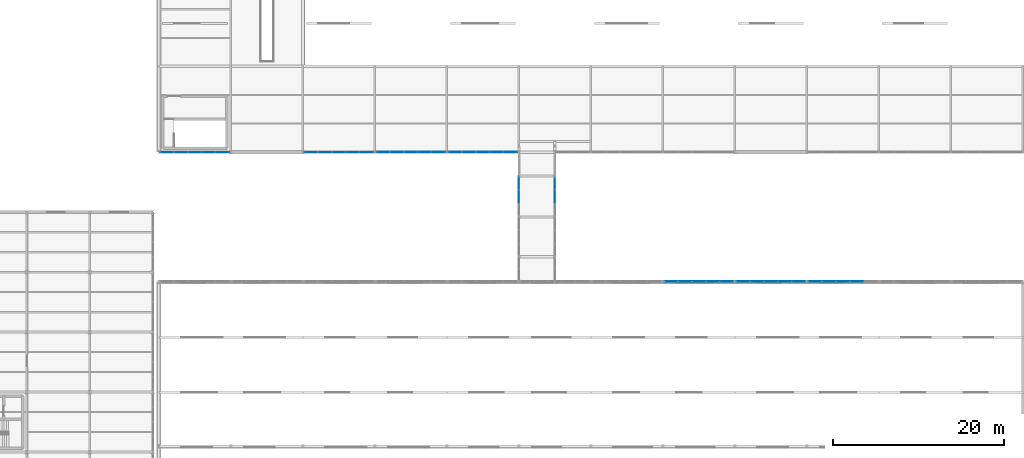
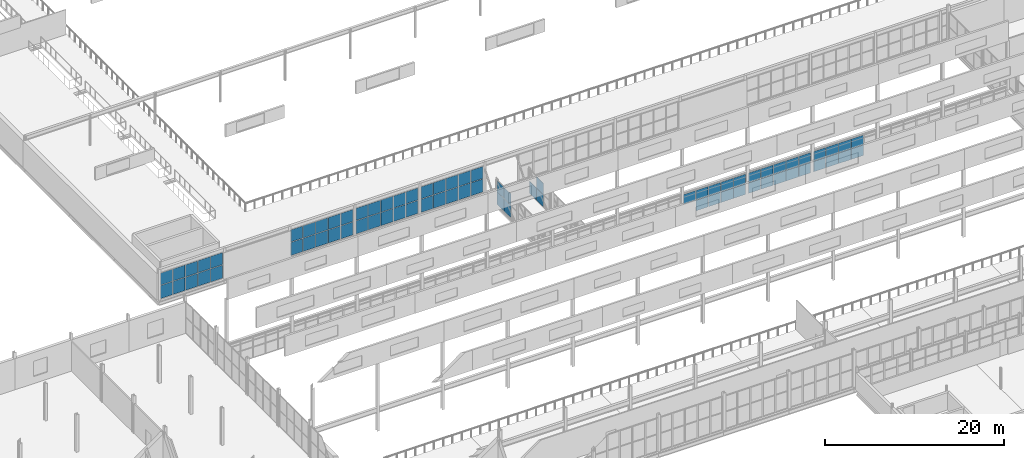
# One storey, part 183 of 218: 74 plates, 9 elements without a shape of their own.
"""IFC4 building model written with IfcOpenShell, lengths in metres."""

from ifc_helpers import new_model, si_unit, direction, frame, origin, origin_2d, place, context, subcontext, project, spatial, rectangle, extrude, material, layer, layer_set, type_object, element, aggregate, save


model = new_model("IFC4")

# Units and contexts
model_context = context("Model", 3, precision=1e-05, world=origin(), true_north=direction((0.0, 1.0)))
body_context = subcontext(model_context, "Body", "Model", "MODEL_VIEW")
ifc_project = project(units=[si_unit("LENGTHUNIT", "METRE"), si_unit("AREAUNIT", "SQUARE_METRE"), si_unit("VOLUMEUNIT", "CUBIC_METRE"), si_unit("PLANEANGLEUNIT", "RADIAN"), si_unit("MASSUNIT", "GRAM", prefix="KILO")], contexts=[model_context])

# Site, building, storey
site_placement = place(None, origin())
site = spatial("IfcSite", under=ifc_project, at=site_placement, CompositionType="ELEMENT")
building_placement = place(site_placement, origin())
building = spatial("IfcBuilding", under=site, at=building_placement, Name="Kazenagashi Tramway Depot", CompositionType="ELEMENT")
storey_placement = place(building_placement, frame((0.0, 0.0, 6.0)))
storey = spatial("IfcBuildingStorey", under=building, at=storey_placement, Name="L02", CompositionType="ELEMENT", Elevation=6.0)

# Curtain wall, plates
ifc_material_1 = material(Name="Anodised Aluminium and Low-E Glazing", Category="aluminium")
curtain_wall_type_1 = type_object("IfcCurtainWallType", Name="CW-21", PredefinedType="USERDEFINED", material=ifc_material_1)
curtain_wall_1_placement = place(storey_placement, origin())
curtain_wall_1 = element("IfcCurtainWall", 1, at=curtain_wall_1_placement, inside=storey, type_object=curtain_wall_type_1, Name="Industrial Glazed Screen CW-21 CW-0114", ObjectType="GLAZED SCREEN", PredefinedType="USERDEFINED")
ifc_material_2 = material(Name="Tempered Laminated Low-E Glass", Category="glass")
ifc_layer_1 = layer(ifc_material_2, 0.018)
ifc_layer_set_1 = layer_set([ifc_layer_1], Name="Tempered Laminated Low-E Glass")
plate_type_1 = type_object("IfcPlateType", Name="GL-02", PredefinedType="CURTAIN_PANEL", material=ifc_layer_set_1)
plate_1_placement = place(storey_placement, frame((104.567, 54.9, 1.538), z_axis=(0.0, 0.0, 1.0), x_axis=(1.0, 0.0, 0.0)))
plate_1 = element("IfcPlate", 2, at=plate_1_placement, type_object=plate_type_1, Name="CW-21 panel 1.2", PredefinedType="CURTAIN_PANEL", context=body_context, shape_type="SweptSolid", body=[
    extrude(rectangle(XDim=1.534, YDim=0.018, at=origin_2d()), origin(), (0.0, 0.0, 1.0), 1.302),
])
plate_2_placement = place(storey_placement, frame((106.176, 54.9, 0.06), z_axis=(0.0, 0.0, 1.0), x_axis=(1.0, 0.0, 0.0)))
plate_2 = element("IfcPlate", 3, at=plate_2_placement, type_object=plate_type_1, Name="CW-21 panel 2.1", PredefinedType="CURTAIN_PANEL", context=body_context, shape_type="SweptSolid", body=[
    extrude(rectangle(XDim=1.564, YDim=0.018, at=origin_2d()), origin(), (0.0, 0.0, 1.0), 1.418),
])
plate_3_placement = place(storey_placement, frame((106.176, 54.9, 1.538), z_axis=(0.0, 0.0, 1.0), x_axis=(1.0, 0.0, 0.0)))
plate_3 = element("IfcPlate", 4, at=plate_3_placement, type_object=plate_type_1, Name="CW-21 panel 2.2", PredefinedType="CURTAIN_PANEL", context=body_context, shape_type="SweptSolid", body=[
    extrude(rectangle(XDim=1.564, YDim=0.018, at=origin_2d()), origin(), (0.0, 0.0, 1.0), 1.302),
])
plate_4_placement = place(storey_placement, frame((107.8, 54.9, 0.06), z_axis=(0.0, 0.0, 1.0), x_axis=(1.0, 0.0, 0.0)))
plate_4 = element("IfcPlate", 5, at=plate_4_placement, type_object=plate_type_1, Name="CW-21 panel 3.1", PredefinedType="CURTAIN_PANEL", context=body_context, shape_type="SweptSolid", body=[
    extrude(rectangle(XDim=1.564, YDim=0.018, at=origin_2d()), origin(), (0.0, 0.0, 1.0), 1.418),
])
plate_5_placement = place(storey_placement, frame((107.8, 54.9, 1.538), z_axis=(0.0, 0.0, 1.0), x_axis=(1.0, 0.0, 0.0)))
plate_5 = element("IfcPlate", 6, at=plate_5_placement, type_object=plate_type_1, Name="CW-21 panel 3.2", PredefinedType="CURTAIN_PANEL", context=body_context, shape_type="SweptSolid", body=[
    extrude(rectangle(XDim=1.564, YDim=0.018, at=origin_2d()), origin(), (0.0, 0.0, 1.0), 1.302),
])
plate_6_placement = place(storey_placement, frame((109.424, 54.9, 0.06), z_axis=(0.0, 0.0, 1.0), x_axis=(1.0, 0.0, 0.0)))
plate_6 = element("IfcPlate", 7, at=plate_6_placement, type_object=plate_type_1, Name="CW-21 panel 4.1", PredefinedType="CURTAIN_PANEL", context=body_context, shape_type="SweptSolid", body=[
    extrude(rectangle(XDim=1.564, YDim=0.018, at=origin_2d()), origin(), (0.0, 0.0, 1.0), 1.418),
])
plate_7_placement = place(storey_placement, frame((109.424, 54.9, 1.538), z_axis=(0.0, 0.0, 1.0), x_axis=(1.0, 0.0, 0.0)))
plate_7 = element("IfcPlate", 8, at=plate_7_placement, type_object=plate_type_1, Name="CW-21 panel 4.2", PredefinedType="CURTAIN_PANEL", context=body_context, shape_type="SweptSolid", body=[
    extrude(rectangle(XDim=1.564, YDim=0.018, at=origin_2d()), origin(), (0.0, 0.0, 1.0), 1.302),
])
plate_8_placement = place(storey_placement, frame((111.033, 54.9, 0.06), z_axis=(0.0, 0.0, 1.0), x_axis=(1.0, 0.0, 0.0)))
plate_8 = element("IfcPlate", 9, at=plate_8_placement, type_object=plate_type_1, Name="CW-21 panel 5.1", PredefinedType="CURTAIN_PANEL", context=body_context, shape_type="SweptSolid", body=[
    extrude(rectangle(XDim=1.534, YDim=0.018, at=origin_2d()), origin(), (0.0, 0.0, 1.0), 1.418),
])
plate_9_placement = place(storey_placement, frame((111.033, 54.9, 1.538), z_axis=(0.0, 0.0, 1.0), x_axis=(1.0, 0.0, 0.0)))
plate_9 = element("IfcPlate", 10, at=plate_9_placement, type_object=plate_type_1, Name="CW-21 panel 5.2", PredefinedType="CURTAIN_PANEL", context=body_context, shape_type="SweptSolid", body=[
    extrude(rectangle(XDim=1.534, YDim=0.018, at=origin_2d()), origin(), (0.0, 0.0, 1.0), 1.302),
])
aggregate(curtain_wall_1, [plate_1, plate_2, plate_3, plate_4, plate_5, plate_6, plate_7, plate_8, plate_9])

curtain_wall_type_2 = type_object("IfcCurtainWallType", Name="CW-11", PredefinedType="USERDEFINED", material=ifc_material_1)
curtain_wall_2_placement = place(storey_placement, origin())
curtain_wall_2 = element("IfcCurtainWall", 11, at=curtain_wall_2_placement, inside=storey, type_object=curtain_wall_type_2, Name="Industrial Glazed Screen CW-11 CW-0019", ObjectType="GLAZED SCREEN", PredefinedType="USERDEFINED")
ifc_layer_2 = layer(ifc_material_2, 0.02)
ifc_layer_set_2 = layer_set([ifc_layer_2], Name="Tempered Laminated Low-E Glass")
plate_type_2 = type_object("IfcPlateType", Name="GL-03", PredefinedType="CURTAIN_PANEL", material=ifc_layer_set_2)
plate_10_placement = place(storey_placement, frame((45.767, 70.0, 0.06), z_axis=(0.0, 0.0, 1.0), x_axis=(1.0, 0.0, 0.0)))
plate_10 = element("IfcPlate", 12, at=plate_10_placement, type_object=plate_type_2, Name="CW-11 panel 1.1", PredefinedType="CURTAIN_PANEL", context=body_context, shape_type="SweptSolid", body=[
    extrude(rectangle(XDim=1.534, YDim=0.02, at=origin_2d()), origin(), (0.0, 0.0, 1.0), 1.788),
])
plate_11_placement = place(storey_placement, frame((45.767, 70.0, 1.908), z_axis=(0.0, 0.0, 1.0), x_axis=(1.0, 0.0, 0.0)))
plate_11 = element("IfcPlate", 13, at=plate_11_placement, type_object=plate_type_2, Name="CW-11 panel 1.2", PredefinedType="CURTAIN_PANEL", context=body_context, shape_type="SweptSolid", body=[
    extrude(rectangle(XDim=1.534, YDim=0.02, at=origin_2d()), origin(), (0.0, 0.0, 1.0), 1.644),
])
plate_12_placement = place(storey_placement, frame((47.376, 70.0, 0.06), z_axis=(0.0, 0.0, 1.0), x_axis=(1.0, 0.0, 0.0)))
plate_12 = element("IfcPlate", 14, at=plate_12_placement, type_object=plate_type_2, Name="CW-11 panel 2.1", PredefinedType="CURTAIN_PANEL", context=body_context, shape_type="SweptSolid", body=[
    extrude(rectangle(XDim=1.564, YDim=0.02, at=origin_2d()), origin(), (0.0, 0.0, 1.0), 1.788),
])
plate_13_placement = place(storey_placement, frame((47.376, 70.0, 1.908), z_axis=(0.0, 0.0, 1.0), x_axis=(1.0, 0.0, 0.0)))
plate_13 = element("IfcPlate", 15, at=plate_13_placement, type_object=plate_type_2, Name="CW-11 panel 2.2", PredefinedType="CURTAIN_PANEL", context=body_context, shape_type="SweptSolid", body=[
    extrude(rectangle(XDim=1.564, YDim=0.02, at=origin_2d()), origin(), (0.0, 0.0, 1.0), 1.644),
])
plate_14_placement = place(storey_placement, frame((49.0, 70.0, 0.06), z_axis=(0.0, 0.0, 1.0), x_axis=(1.0, 0.0, 0.0)))
plate_14 = element("IfcPlate", 16, at=plate_14_placement, type_object=plate_type_2, Name="CW-11 panel 3.1", PredefinedType="CURTAIN_PANEL", context=body_context, shape_type="SweptSolid", body=[
    extrude(rectangle(XDim=1.564, YDim=0.02, at=origin_2d()), origin(), (0.0, 0.0, 1.0), 1.788),
])
plate_15_placement = place(storey_placement, frame((49.0, 70.0, 1.908), z_axis=(0.0, 0.0, 1.0), x_axis=(1.0, 0.0, 0.0)))
plate_15 = element("IfcPlate", 17, at=plate_15_placement, type_object=plate_type_2, Name="CW-11 panel 3.2", PredefinedType="CURTAIN_PANEL", context=body_context, shape_type="SweptSolid", body=[
    extrude(rectangle(XDim=1.564, YDim=0.02, at=origin_2d()), origin(), (0.0, 0.0, 1.0), 1.644),
])
plate_16_placement = place(storey_placement, frame((50.624, 70.0, 0.06), z_axis=(0.0, 0.0, 1.0), x_axis=(1.0, 0.0, 0.0)))
plate_16 = element("IfcPlate", 18, at=plate_16_placement, type_object=plate_type_2, Name="CW-11 panel 4.1", PredefinedType="CURTAIN_PANEL", context=body_context, shape_type="SweptSolid", body=[
    extrude(rectangle(XDim=1.564, YDim=0.02, at=origin_2d()), origin(), (0.0, 0.0, 1.0), 1.788),
])
plate_17_placement = place(storey_placement, frame((50.624, 70.0, 1.908), z_axis=(0.0, 0.0, 1.0), x_axis=(1.0, 0.0, 0.0)))
plate_17 = element("IfcPlate", 19, at=plate_17_placement, type_object=plate_type_2, Name="CW-11 panel 4.2", PredefinedType="CURTAIN_PANEL", context=body_context, shape_type="SweptSolid", body=[
    extrude(rectangle(XDim=1.564, YDim=0.02, at=origin_2d()), origin(), (0.0, 0.0, 1.0), 1.644),
])
plate_18_placement = place(storey_placement, frame((52.233, 70.0, 0.06), z_axis=(0.0, 0.0, 1.0), x_axis=(1.0, 0.0, 0.0)))
plate_18 = element("IfcPlate", 20, at=plate_18_placement, type_object=plate_type_2, Name="CW-11 panel 5.1", PredefinedType="CURTAIN_PANEL", context=body_context, shape_type="SweptSolid", body=[
    extrude(rectangle(XDim=1.534, YDim=0.02, at=origin_2d()), origin(), (0.0, 0.0, 1.0), 1.788),
])
plate_19_placement = place(storey_placement, frame((52.233, 70.0, 1.908), z_axis=(0.0, 0.0, 1.0), x_axis=(1.0, 0.0, 0.0)))
plate_19 = element("IfcPlate", 21, at=plate_19_placement, type_object=plate_type_2, Name="CW-11 panel 5.2", PredefinedType="CURTAIN_PANEL", context=body_context, shape_type="SweptSolid", body=[
    extrude(rectangle(XDim=1.534, YDim=0.02, at=origin_2d()), origin(), (0.0, 0.0, 1.0), 1.644),
])
aggregate(curtain_wall_2, [plate_10, plate_11, plate_12, plate_13, plate_14, plate_15, plate_16, plate_17, plate_18, plate_19])

curtain_wall_3_placement = place(storey_placement, origin())
curtain_wall_3 = element("IfcCurtainWall", 22, at=curtain_wall_3_placement, inside=storey, type_object=curtain_wall_type_1, Name="Industrial Glazed Screen CW-21 CW-0115", ObjectType="GLAZED SCREEN", PredefinedType="USERDEFINED")
plate_20_placement = place(storey_placement, frame((112.967, 54.9, 0.06), z_axis=(0.0, 0.0, 1.0), x_axis=(1.0, 0.0, 0.0)))
plate_20 = element("IfcPlate", 23, at=plate_20_placement, type_object=plate_type_2, Name="CW-21 panel 1.1", PredefinedType="CURTAIN_PANEL", context=body_context, shape_type="SweptSolid", body=[
    extrude(rectangle(XDim=1.534, YDim=0.02, at=origin_2d()), origin(), (0.0, 0.0, 1.0), 1.418),
])
plate_21_placement = place(storey_placement, frame((112.967, 54.9, 1.538), z_axis=(0.0, 0.0, 1.0), x_axis=(1.0, 0.0, 0.0)))
plate_21 = element("IfcPlate", 24, at=plate_21_placement, type_object=plate_type_2, Name="CW-21 panel 1.2", PredefinedType="CURTAIN_PANEL", context=body_context, shape_type="SweptSolid", body=[
    extrude(rectangle(XDim=1.534, YDim=0.02, at=origin_2d()), origin(), (0.0, 0.0, 1.0), 1.302),
])
plate_22_placement = place(storey_placement, frame((114.576, 54.9, 0.06), z_axis=(0.0, 0.0, 1.0), x_axis=(1.0, 0.0, 0.0)))
plate_22 = element("IfcPlate", 25, at=plate_22_placement, type_object=plate_type_2, Name="CW-21 panel 2.1", PredefinedType="CURTAIN_PANEL", context=body_context, shape_type="SweptSolid", body=[
    extrude(rectangle(XDim=1.564, YDim=0.02, at=origin_2d()), origin(), (0.0, 0.0, 1.0), 1.418),
])
plate_23_placement = place(storey_placement, frame((114.576, 54.9, 1.538), z_axis=(0.0, 0.0, 1.0), x_axis=(1.0, 0.0, 0.0)))
plate_23 = element("IfcPlate", 26, at=plate_23_placement, type_object=plate_type_2, Name="CW-21 panel 2.2", PredefinedType="CURTAIN_PANEL", context=body_context, shape_type="SweptSolid", body=[
    extrude(rectangle(XDim=1.564, YDim=0.02, at=origin_2d()), origin(), (0.0, 0.0, 1.0), 1.302),
])
plate_24_placement = place(storey_placement, frame((116.2, 54.9, 0.06), z_axis=(0.0, 0.0, 1.0), x_axis=(1.0, 0.0, 0.0)))
plate_24 = element("IfcPlate", 27, at=plate_24_placement, type_object=plate_type_2, Name="CW-21 panel 3.1", PredefinedType="CURTAIN_PANEL", context=body_context, shape_type="SweptSolid", body=[
    extrude(rectangle(XDim=1.564, YDim=0.02, at=origin_2d()), origin(), (0.0, 0.0, 1.0), 1.418),
])
plate_25_placement = place(storey_placement, frame((116.2, 54.9, 1.538), z_axis=(0.0, 0.0, 1.0), x_axis=(1.0, 0.0, 0.0)))
plate_25 = element("IfcPlate", 28, at=plate_25_placement, type_object=plate_type_2, Name="CW-21 panel 3.2", PredefinedType="CURTAIN_PANEL", context=body_context, shape_type="SweptSolid", body=[
    extrude(rectangle(XDim=1.564, YDim=0.02, at=origin_2d()), origin(), (0.0, 0.0, 1.0), 1.302),
])
plate_26_placement = place(storey_placement, frame((117.824, 54.9, 0.06), z_axis=(0.0, 0.0, 1.0), x_axis=(1.0, 0.0, 0.0)))
plate_26 = element("IfcPlate", 29, at=plate_26_placement, type_object=plate_type_2, Name="CW-21 panel 4.1", PredefinedType="CURTAIN_PANEL", context=body_context, shape_type="SweptSolid", body=[
    extrude(rectangle(XDim=1.564, YDim=0.02, at=origin_2d()), origin(), (0.0, 0.0, 1.0), 1.418),
])
plate_27_placement = place(storey_placement, frame((117.824, 54.9, 1.538), z_axis=(0.0, 0.0, 1.0), x_axis=(1.0, 0.0, 0.0)))
plate_27 = element("IfcPlate", 30, at=plate_27_placement, type_object=plate_type_2, Name="CW-21 panel 4.2", PredefinedType="CURTAIN_PANEL", context=body_context, shape_type="SweptSolid", body=[
    extrude(rectangle(XDim=1.564, YDim=0.02, at=origin_2d()), origin(), (0.0, 0.0, 1.0), 1.302),
])
plate_28_placement = place(storey_placement, frame((119.433, 54.9, 0.06), z_axis=(0.0, 0.0, 1.0), x_axis=(1.0, 0.0, 0.0)))
plate_28 = element("IfcPlate", 31, at=plate_28_placement, type_object=plate_type_2, Name="CW-21 panel 5.1", PredefinedType="CURTAIN_PANEL", context=body_context, shape_type="SweptSolid", body=[
    extrude(rectangle(XDim=1.534, YDim=0.02, at=origin_2d()), origin(), (0.0, 0.0, 1.0), 1.418),
])
plate_29_placement = place(storey_placement, frame((119.433, 54.9, 1.538), z_axis=(0.0, 0.0, 1.0), x_axis=(1.0, 0.0, 0.0)))
plate_29 = element("IfcPlate", 32, at=plate_29_placement, type_object=plate_type_2, Name="CW-21 panel 5.2", PredefinedType="CURTAIN_PANEL", context=body_context, shape_type="SweptSolid", body=[
    extrude(rectangle(XDim=1.534, YDim=0.02, at=origin_2d()), origin(), (0.0, 0.0, 1.0), 1.302),
])
aggregate(curtain_wall_3, [plate_20, plate_21, plate_22, plate_23, plate_24, plate_25, plate_26, plate_27, plate_28, plate_29])

curtain_wall_4_placement = place(storey_placement, origin())
curtain_wall_4 = element("IfcCurtainWall", 33, at=curtain_wall_4_placement, inside=storey, type_object=curtain_wall_type_2, Name="Industrial Glazed Screen CW-11 CW-0020", ObjectType="GLAZED SCREEN", PredefinedType="USERDEFINED")
ifc_layer_3 = layer(ifc_material_2, 0.022)
ifc_layer_set_3 = layer_set([ifc_layer_3], Name="Tempered Laminated Low-E Glass")
plate_type_3 = type_object("IfcPlateType", Name="GL-04", PredefinedType="CURTAIN_PANEL", material=ifc_layer_set_3)
plate_30_placement = place(storey_placement, frame((62.567, 70.0, 0.06), z_axis=(0.0, 0.0, 1.0), x_axis=(1.0, 0.0, 0.0)))
plate_30 = element("IfcPlate", 34, at=plate_30_placement, type_object=plate_type_3, Name="CW-11 panel 1.1", PredefinedType="CURTAIN_PANEL", context=body_context, shape_type="SweptSolid", body=[
    extrude(rectangle(XDim=1.534, YDim=0.022, at=origin_2d()), origin(), (0.0, 0.0, 1.0), 1.788),
])
plate_31_placement = place(storey_placement, frame((62.567, 70.0, 1.908), z_axis=(0.0, 0.0, 1.0), x_axis=(1.0, 0.0, 0.0)))
plate_31 = element("IfcPlate", 35, at=plate_31_placement, type_object=plate_type_3, Name="CW-11 panel 1.2", PredefinedType="CURTAIN_PANEL", context=body_context, shape_type="SweptSolid", body=[
    extrude(rectangle(XDim=1.534, YDim=0.022, at=origin_2d()), origin(), (0.0, 0.0, 1.0), 1.644),
])
plate_32_placement = place(storey_placement, frame((64.176, 70.0, 0.06), z_axis=(0.0, 0.0, 1.0), x_axis=(1.0, 0.0, 0.0)))
plate_32 = element("IfcPlate", 36, at=plate_32_placement, type_object=plate_type_3, Name="CW-11 panel 2.1", PredefinedType="CURTAIN_PANEL", context=body_context, shape_type="SweptSolid", body=[
    extrude(rectangle(XDim=1.564, YDim=0.022, at=origin_2d()), origin(), (0.0, 0.0, 1.0), 1.788),
])
plate_33_placement = place(storey_placement, frame((64.176, 70.0, 1.908), z_axis=(0.0, 0.0, 1.0), x_axis=(1.0, 0.0, 0.0)))
plate_33 = element("IfcPlate", 37, at=plate_33_placement, type_object=plate_type_3, Name="CW-11 panel 2.2", PredefinedType="CURTAIN_PANEL", context=body_context, shape_type="SweptSolid", body=[
    extrude(rectangle(XDim=1.564, YDim=0.022, at=origin_2d()), origin(), (0.0, 0.0, 1.0), 1.644),
])
plate_34_placement = place(storey_placement, frame((65.8, 70.0, 0.06), z_axis=(0.0, 0.0, 1.0), x_axis=(1.0, 0.0, 0.0)))
plate_34 = element("IfcPlate", 38, at=plate_34_placement, type_object=plate_type_3, Name="CW-11 panel 3.1", PredefinedType="CURTAIN_PANEL", context=body_context, shape_type="SweptSolid", body=[
    extrude(rectangle(XDim=1.564, YDim=0.022, at=origin_2d()), origin(), (0.0, 0.0, 1.0), 1.788),
])
plate_35_placement = place(storey_placement, frame((65.8, 70.0, 1.908), z_axis=(0.0, 0.0, 1.0), x_axis=(1.0, 0.0, 0.0)))
plate_35 = element("IfcPlate", 39, at=plate_35_placement, type_object=plate_type_3, Name="CW-11 panel 3.2", PredefinedType="CURTAIN_PANEL", context=body_context, shape_type="SweptSolid", body=[
    extrude(rectangle(XDim=1.564, YDim=0.022, at=origin_2d()), origin(), (0.0, 0.0, 1.0), 1.644),
])
plate_36_placement = place(storey_placement, frame((67.424, 70.0, 0.06), z_axis=(0.0, 0.0, 1.0), x_axis=(1.0, 0.0, 0.0)))
plate_36 = element("IfcPlate", 40, at=plate_36_placement, type_object=plate_type_3, Name="CW-11 panel 4.1", PredefinedType="CURTAIN_PANEL", context=body_context, shape_type="SweptSolid", body=[
    extrude(rectangle(XDim=1.564, YDim=0.022, at=origin_2d()), origin(), (0.0, 0.0, 1.0), 1.788),
])
plate_37_placement = place(storey_placement, frame((67.424, 70.0, 1.908), z_axis=(0.0, 0.0, 1.0), x_axis=(1.0, 0.0, 0.0)))
plate_37 = element("IfcPlate", 41, at=plate_37_placement, type_object=plate_type_3, Name="CW-11 panel 4.2", PredefinedType="CURTAIN_PANEL", context=body_context, shape_type="SweptSolid", body=[
    extrude(rectangle(XDim=1.564, YDim=0.022, at=origin_2d()), origin(), (0.0, 0.0, 1.0), 1.644),
])
plate_38_placement = place(storey_placement, frame((69.033, 70.0, 0.06), z_axis=(0.0, 0.0, 1.0), x_axis=(1.0, 0.0, 0.0)))
plate_38 = element("IfcPlate", 42, at=plate_38_placement, type_object=plate_type_3, Name="CW-11 panel 5.1", PredefinedType="CURTAIN_PANEL", context=body_context, shape_type="SweptSolid", body=[
    extrude(rectangle(XDim=1.534, YDim=0.022, at=origin_2d()), origin(), (0.0, 0.0, 1.0), 1.788),
])
plate_39_placement = place(storey_placement, frame((69.033, 70.0, 1.908), z_axis=(0.0, 0.0, 1.0), x_axis=(1.0, 0.0, 0.0)))
plate_39 = element("IfcPlate", 43, at=plate_39_placement, type_object=plate_type_3, Name="CW-11 panel 5.2", PredefinedType="CURTAIN_PANEL", context=body_context, shape_type="SweptSolid", body=[
    extrude(rectangle(XDim=1.534, YDim=0.022, at=origin_2d()), origin(), (0.0, 0.0, 1.0), 1.644),
])
aggregate(curtain_wall_4, [plate_30, plate_31, plate_32, plate_33, plate_34, plate_35, plate_36, plate_37, plate_38, plate_39])

curtain_wall_5_placement = place(storey_placement, origin())
curtain_wall_5 = element("IfcCurtainWall", 44, at=curtain_wall_5_placement, inside=storey, type_object=curtain_wall_type_1, Name="Industrial Glazed Screen CW-21 CW-0116", ObjectType="GLAZED SCREEN", PredefinedType="USERDEFINED")
plate_40_placement = place(storey_placement, frame((121.367, 54.9, 0.06), z_axis=(0.0, 0.0, 1.0), x_axis=(1.0, 0.0, 0.0)))
plate_40 = element("IfcPlate", 45, at=plate_40_placement, type_object=plate_type_3, Name="CW-21 panel 1.1", PredefinedType="CURTAIN_PANEL", context=body_context, shape_type="SweptSolid", body=[
    extrude(rectangle(XDim=1.534, YDim=0.022, at=origin_2d()), origin(), (0.0, 0.0, 1.0), 1.418),
])
plate_41_placement = place(storey_placement, frame((121.367, 54.9, 1.538), z_axis=(0.0, 0.0, 1.0), x_axis=(1.0, 0.0, 0.0)))
plate_41 = element("IfcPlate", 46, at=plate_41_placement, type_object=plate_type_3, Name="CW-21 panel 1.2", PredefinedType="CURTAIN_PANEL", context=body_context, shape_type="SweptSolid", body=[
    extrude(rectangle(XDim=1.534, YDim=0.022, at=origin_2d()), origin(), (0.0, 0.0, 1.0), 1.302),
])
plate_42_placement = place(storey_placement, frame((122.976, 54.9, 0.06), z_axis=(0.0, 0.0, 1.0), x_axis=(1.0, 0.0, 0.0)))
plate_42 = element("IfcPlate", 47, at=plate_42_placement, type_object=plate_type_3, Name="CW-21 panel 2.1", PredefinedType="CURTAIN_PANEL", context=body_context, shape_type="SweptSolid", body=[
    extrude(rectangle(XDim=1.564, YDim=0.022, at=origin_2d()), origin(), (0.0, 0.0, 1.0), 1.418),
])
plate_43_placement = place(storey_placement, frame((122.976, 54.9, 1.538), z_axis=(0.0, 0.0, 1.0), x_axis=(1.0, 0.0, 0.0)))
plate_43 = element("IfcPlate", 48, at=plate_43_placement, type_object=plate_type_3, Name="CW-21 panel 2.2", PredefinedType="CURTAIN_PANEL", context=body_context, shape_type="SweptSolid", body=[
    extrude(rectangle(XDim=1.564, YDim=0.022, at=origin_2d()), origin(), (0.0, 0.0, 1.0), 1.302),
])
plate_44_placement = place(storey_placement, frame((124.6, 54.9, 0.06), z_axis=(0.0, 0.0, 1.0), x_axis=(1.0, 0.0, 0.0)))
plate_44 = element("IfcPlate", 49, at=plate_44_placement, type_object=plate_type_3, Name="CW-21 panel 3.1", PredefinedType="CURTAIN_PANEL", context=body_context, shape_type="SweptSolid", body=[
    extrude(rectangle(XDim=1.564, YDim=0.022, at=origin_2d()), origin(), (0.0, 0.0, 1.0), 1.418),
])
plate_45_placement = place(storey_placement, frame((124.6, 54.9, 1.538), z_axis=(0.0, 0.0, 1.0), x_axis=(1.0, 0.0, 0.0)))
plate_45 = element("IfcPlate", 50, at=plate_45_placement, type_object=plate_type_3, Name="CW-21 panel 3.2", PredefinedType="CURTAIN_PANEL", context=body_context, shape_type="SweptSolid", body=[
    extrude(rectangle(XDim=1.564, YDim=0.022, at=origin_2d()), origin(), (0.0, 0.0, 1.0), 1.302),
])
plate_46_placement = place(storey_placement, frame((126.224, 54.9, 0.06), z_axis=(0.0, 0.0, 1.0), x_axis=(1.0, 0.0, 0.0)))
plate_46 = element("IfcPlate", 51, at=plate_46_placement, type_object=plate_type_3, Name="CW-21 panel 4.1", PredefinedType="CURTAIN_PANEL", context=body_context, shape_type="SweptSolid", body=[
    extrude(rectangle(XDim=1.564, YDim=0.022, at=origin_2d()), origin(), (0.0, 0.0, 1.0), 1.418),
])
plate_47_placement = place(storey_placement, frame((126.224, 54.9, 1.538), z_axis=(0.0, 0.0, 1.0), x_axis=(1.0, 0.0, 0.0)))
plate_47 = element("IfcPlate", 52, at=plate_47_placement, type_object=plate_type_3, Name="CW-21 panel 4.2", PredefinedType="CURTAIN_PANEL", context=body_context, shape_type="SweptSolid", body=[
    extrude(rectangle(XDim=1.564, YDim=0.022, at=origin_2d()), origin(), (0.0, 0.0, 1.0), 1.302),
])
aggregate(curtain_wall_5, [plate_40, plate_41, plate_42, plate_43, plate_44, plate_45, plate_46, plate_47])

curtain_wall_6_placement = place(storey_placement, origin())
curtain_wall_6 = element("IfcCurtainWall", 53, at=curtain_wall_6_placement, inside=storey, type_object=curtain_wall_type_2, Name="Industrial Glazed Screen CW-11 CW-0023", ObjectType="GLAZED SCREEN", PredefinedType="USERDEFINED")
ifc_layer_4 = layer(ifc_material_2, 0.028)
ifc_layer_set_4 = layer_set([ifc_layer_4], Name="Tempered Laminated Low-E Glass")
plate_type_4 = type_object("IfcPlateType", Name="GL-07", PredefinedType="CURTAIN_PANEL", material=ifc_layer_set_4)
plate_48_placement = place(storey_placement, frame((70.967, 70.0, 0.06), z_axis=(0.0, 0.0, 1.0), x_axis=(1.0, 0.0, 0.0)))
plate_48 = element("IfcPlate", 54, at=plate_48_placement, type_object=plate_type_4, Name="CW-11 panel 1.1", PredefinedType="CURTAIN_PANEL", context=body_context, shape_type="SweptSolid", body=[
    extrude(rectangle(XDim=1.534, YDim=0.028, at=origin_2d()), origin(), (0.0, 0.0, 1.0), 1.788),
])
plate_49_placement = place(storey_placement, frame((70.967, 70.0, 1.908), z_axis=(0.0, 0.0, 1.0), x_axis=(1.0, 0.0, 0.0)))
plate_49 = element("IfcPlate", 55, at=plate_49_placement, type_object=plate_type_4, Name="CW-11 panel 1.2", PredefinedType="CURTAIN_PANEL", context=body_context, shape_type="SweptSolid", body=[
    extrude(rectangle(XDim=1.534, YDim=0.028, at=origin_2d()), origin(), (0.0, 0.0, 1.0), 1.644),
])
plate_50_placement = place(storey_placement, frame((72.576, 70.0, 0.06), z_axis=(0.0, 0.0, 1.0), x_axis=(1.0, 0.0, 0.0)))
plate_50 = element("IfcPlate", 56, at=plate_50_placement, type_object=plate_type_4, Name="CW-11 panel 2.1", PredefinedType="CURTAIN_PANEL", context=body_context, shape_type="SweptSolid", body=[
    extrude(rectangle(XDim=1.564, YDim=0.028, at=origin_2d()), origin(), (0.0, 0.0, 1.0), 1.788),
])
plate_51_placement = place(storey_placement, frame((72.576, 70.0, 1.908), z_axis=(0.0, 0.0, 1.0), x_axis=(1.0, 0.0, 0.0)))
plate_51 = element("IfcPlate", 57, at=plate_51_placement, type_object=plate_type_4, Name="CW-11 panel 2.2", PredefinedType="CURTAIN_PANEL", context=body_context, shape_type="SweptSolid", body=[
    extrude(rectangle(XDim=1.564, YDim=0.028, at=origin_2d()), origin(), (0.0, 0.0, 1.0), 1.644),
])
plate_52_placement = place(storey_placement, frame((74.2, 70.0, 0.06), z_axis=(0.0, 0.0, 1.0), x_axis=(1.0, 0.0, 0.0)))
plate_52 = element("IfcPlate", 58, at=plate_52_placement, type_object=plate_type_4, Name="CW-11 panel 3.1", PredefinedType="CURTAIN_PANEL", context=body_context, shape_type="SweptSolid", body=[
    extrude(rectangle(XDim=1.564, YDim=0.028, at=origin_2d()), origin(), (0.0, 0.0, 1.0), 1.788),
])
plate_53_placement = place(storey_placement, frame((74.2, 70.0, 1.908), z_axis=(0.0, 0.0, 1.0), x_axis=(1.0, 0.0, 0.0)))
plate_53 = element("IfcPlate", 59, at=plate_53_placement, type_object=plate_type_4, Name="CW-11 panel 3.2", PredefinedType="CURTAIN_PANEL", context=body_context, shape_type="SweptSolid", body=[
    extrude(rectangle(XDim=1.564, YDim=0.028, at=origin_2d()), origin(), (0.0, 0.0, 1.0), 1.644),
])
plate_54_placement = place(storey_placement, frame((75.824, 70.0, 0.06), z_axis=(0.0, 0.0, 1.0), x_axis=(1.0, 0.0, 0.0)))
plate_54 = element("IfcPlate", 60, at=plate_54_placement, type_object=plate_type_4, Name="CW-11 panel 4.1", PredefinedType="CURTAIN_PANEL", context=body_context, shape_type="SweptSolid", body=[
    extrude(rectangle(XDim=1.564, YDim=0.028, at=origin_2d()), origin(), (0.0, 0.0, 1.0), 1.788),
])
plate_55_placement = place(storey_placement, frame((75.824, 70.0, 1.908), z_axis=(0.0, 0.0, 1.0), x_axis=(1.0, 0.0, 0.0)))
plate_55 = element("IfcPlate", 61, at=plate_55_placement, type_object=plate_type_4, Name="CW-11 panel 4.2", PredefinedType="CURTAIN_PANEL", context=body_context, shape_type="SweptSolid", body=[
    extrude(rectangle(XDim=1.564, YDim=0.028, at=origin_2d()), origin(), (0.0, 0.0, 1.0), 1.644),
])
plate_56_placement = place(storey_placement, frame((77.433, 70.0, 0.06), z_axis=(0.0, 0.0, 1.0), x_axis=(1.0, 0.0, 0.0)))
plate_56 = element("IfcPlate", 62, at=plate_56_placement, type_object=plate_type_4, Name="CW-11 panel 5.1", PredefinedType="CURTAIN_PANEL", context=body_context, shape_type="SweptSolid", body=[
    extrude(rectangle(XDim=1.534, YDim=0.028, at=origin_2d()), origin(), (0.0, 0.0, 1.0), 1.788),
])
plate_57_placement = place(storey_placement, frame((77.433, 70.0, 1.908), z_axis=(0.0, 0.0, 1.0), x_axis=(1.0, 0.0, 0.0)))
plate_57 = element("IfcPlate", 63, at=plate_57_placement, type_object=plate_type_4, Name="CW-11 panel 5.2", PredefinedType="CURTAIN_PANEL", context=body_context, shape_type="SweptSolid", body=[
    extrude(rectangle(XDim=1.534, YDim=0.028, at=origin_2d()), origin(), (0.0, 0.0, 1.0), 1.644),
])
aggregate(curtain_wall_6, [plate_48, plate_49, plate_50, plate_51, plate_52, plate_53, plate_54, plate_55, plate_56, plate_57])

curtain_wall_type_3 = type_object("IfcCurtainWallType", Name="CW-29", PredefinedType="USERDEFINED", material=ifc_material_1)
curtain_wall_7_placement = place(storey_placement, origin())
curtain_wall_7 = element("IfcCurtainWall", 64, at=curtain_wall_7_placement, inside=storey, type_object=curtain_wall_type_3, Name="Industrial Glazed Screen CW-29 CW-0153", ObjectType="GLAZED SCREEN", PredefinedType="USERDEFINED")
ifc_layer_5 = layer(ifc_material_2, 0.032)
ifc_layer_set_5 = layer_set([ifc_layer_5], Name="Tempered Laminated Low-E Glass")
plate_type_5 = type_object("IfcPlateType", Name="GL-09", PredefinedType="CURTAIN_PANEL", material=ifc_layer_set_5)
plate_58_placement = place(storey_placement, frame((86.8, 64.825, 0.06), z_axis=(0.0, 0.0, 1.0), x_axis=(0.0, 1.0, 0.0)))
plate_58 = element("IfcPlate", 65, at=plate_58_placement, type_object=plate_type_5, Name="CW-29 panel 2.1", PredefinedType="CURTAIN_PANEL", context=body_context, shape_type="SweptSolid", body=[
    extrude(rectangle(XDim=1.523333, YDim=0.032, at=origin_2d()), origin(), (0.0, 0.0, 1.0), 1.652),
])
plate_59_placement = place(storey_placement, frame((86.8, 64.825, 1.772), z_axis=(0.0, 0.0, 1.0), x_axis=(0.0, 1.0, 0.0)))
plate_59 = element("IfcPlate", 66, at=plate_59_placement, type_object=plate_type_5, Name="CW-29 panel 2.2", PredefinedType="CURTAIN_PANEL", context=body_context, shape_type="SweptSolid", body=[
    extrude(rectangle(XDim=1.523333, YDim=0.032, at=origin_2d()), origin(), (0.0, 0.0, 1.0), 1.518),
])
plate_60_placement = place(storey_placement, frame((86.8, 66.393333, 0.06), z_axis=(0.0, 0.0, 1.0), x_axis=(0.0, 1.0, 0.0)))
plate_60 = element("IfcPlate", 67, at=plate_60_placement, type_object=plate_type_5, Name="CW-29 panel 3.1", PredefinedType="CURTAIN_PANEL", context=body_context, shape_type="SweptSolid", body=[
    extrude(rectangle(XDim=1.493333, YDim=0.032, at=origin_2d()), origin(), (0.0, 0.0, 1.0), 1.652),
])
plate_61_placement = place(storey_placement, frame((86.8, 66.393333, 1.772), z_axis=(0.0, 0.0, 1.0), x_axis=(0.0, 1.0, 0.0)))
plate_61 = element("IfcPlate", 68, at=plate_61_placement, type_object=plate_type_5, Name="CW-29 panel 3.2", PredefinedType="CURTAIN_PANEL", context=body_context, shape_type="SweptSolid", body=[
    extrude(rectangle(XDim=1.493333, YDim=0.032, at=origin_2d()), origin(), (0.0, 0.0, 1.0), 1.518),
])
aggregate(curtain_wall_7, [plate_58, plate_59, plate_60, plate_61])

curtain_wall_8_placement = place(storey_placement, origin())
curtain_wall_8 = element("IfcCurtainWall", 69, at=curtain_wall_8_placement, inside=storey, type_object=curtain_wall_type_2, Name="Industrial Glazed Screen CW-11 CW-0026", ObjectType="GLAZED SCREEN", PredefinedType="USERDEFINED")
ifc_layer_6 = layer(ifc_material_2, 0.034)
ifc_layer_set_6 = layer_set([ifc_layer_6], Name="Tempered Laminated Low-E Glass")
plate_type_6 = type_object("IfcPlateType", Name="GL-10", PredefinedType="CURTAIN_PANEL", material=ifc_layer_set_6)
plate_62_placement = place(storey_placement, frame((79.367, 70.0, 0.06), z_axis=(0.0, 0.0, 1.0), x_axis=(1.0, 0.0, 0.0)))
plate_62 = element("IfcPlate", 70, at=plate_62_placement, type_object=plate_type_6, Name="CW-11 panel 1.1", PredefinedType="CURTAIN_PANEL", context=body_context, shape_type="SweptSolid", body=[
    extrude(rectangle(XDim=1.534, YDim=0.034, at=origin_2d()), origin(), (0.0, 0.0, 1.0), 1.788),
])
plate_63_placement = place(storey_placement, frame((79.367, 70.0, 1.908), z_axis=(0.0, 0.0, 1.0), x_axis=(1.0, 0.0, 0.0)))
plate_63 = element("IfcPlate", 71, at=plate_63_placement, type_object=plate_type_6, Name="CW-11 panel 1.2", PredefinedType="CURTAIN_PANEL", context=body_context, shape_type="SweptSolid", body=[
    extrude(rectangle(XDim=1.534, YDim=0.034, at=origin_2d()), origin(), (0.0, 0.0, 1.0), 1.644),
])
plate_64_placement = place(storey_placement, frame((80.976, 70.0, 0.06), z_axis=(0.0, 0.0, 1.0), x_axis=(1.0, 0.0, 0.0)))
plate_64 = element("IfcPlate", 72, at=plate_64_placement, type_object=plate_type_6, Name="CW-11 panel 2.1", PredefinedType="CURTAIN_PANEL", context=body_context, shape_type="SweptSolid", body=[
    extrude(rectangle(XDim=1.564, YDim=0.034, at=origin_2d()), origin(), (0.0, 0.0, 1.0), 1.788),
])
plate_65_placement = place(storey_placement, frame((80.976, 70.0, 1.908), z_axis=(0.0, 0.0, 1.0), x_axis=(1.0, 0.0, 0.0)))
plate_65 = element("IfcPlate", 73, at=plate_65_placement, type_object=plate_type_6, Name="CW-11 panel 2.2", PredefinedType="CURTAIN_PANEL", context=body_context, shape_type="SweptSolid", body=[
    extrude(rectangle(XDim=1.564, YDim=0.034, at=origin_2d()), origin(), (0.0, 0.0, 1.0), 1.644),
])
plate_66_placement = place(storey_placement, frame((82.6, 70.0, 0.06), z_axis=(0.0, 0.0, 1.0), x_axis=(1.0, 0.0, 0.0)))
plate_66 = element("IfcPlate", 74, at=plate_66_placement, type_object=plate_type_6, Name="CW-11 panel 3.1", PredefinedType="CURTAIN_PANEL", context=body_context, shape_type="SweptSolid", body=[
    extrude(rectangle(XDim=1.564, YDim=0.034, at=origin_2d()), origin(), (0.0, 0.0, 1.0), 1.788),
])
plate_67_placement = place(storey_placement, frame((82.6, 70.0, 1.908), z_axis=(0.0, 0.0, 1.0), x_axis=(1.0, 0.0, 0.0)))
plate_67 = element("IfcPlate", 75, at=plate_67_placement, type_object=plate_type_6, Name="CW-11 panel 3.2", PredefinedType="CURTAIN_PANEL", context=body_context, shape_type="SweptSolid", body=[
    extrude(rectangle(XDim=1.564, YDim=0.034, at=origin_2d()), origin(), (0.0, 0.0, 1.0), 1.644),
])
plate_68_placement = place(storey_placement, frame((84.224, 70.0, 0.06), z_axis=(0.0, 0.0, 1.0), x_axis=(1.0, 0.0, 0.0)))
plate_68 = element("IfcPlate", 76, at=plate_68_placement, type_object=plate_type_6, Name="CW-11 panel 4.1", PredefinedType="CURTAIN_PANEL", context=body_context, shape_type="SweptSolid", body=[
    extrude(rectangle(XDim=1.564, YDim=0.034, at=origin_2d()), origin(), (0.0, 0.0, 1.0), 1.788),
])
plate_69_placement = place(storey_placement, frame((84.224, 70.0, 1.908), z_axis=(0.0, 0.0, 1.0), x_axis=(1.0, 0.0, 0.0)))
plate_69 = element("IfcPlate", 77, at=plate_69_placement, type_object=plate_type_6, Name="CW-11 panel 4.2", PredefinedType="CURTAIN_PANEL", context=body_context, shape_type="SweptSolid", body=[
    extrude(rectangle(XDim=1.564, YDim=0.034, at=origin_2d()), origin(), (0.0, 0.0, 1.0), 1.644),
])
plate_70_placement = place(storey_placement, frame((85.833, 70.0, 0.06), z_axis=(0.0, 0.0, 1.0), x_axis=(1.0, 0.0, 0.0)))
plate_70 = element("IfcPlate", 78, at=plate_70_placement, type_object=plate_type_6, Name="CW-11 panel 5.1", PredefinedType="CURTAIN_PANEL", context=body_context, shape_type="SweptSolid", body=[
    extrude(rectangle(XDim=1.534, YDim=0.034, at=origin_2d()), origin(), (0.0, 0.0, 1.0), 1.788),
])
plate_71_placement = place(storey_placement, frame((85.833, 70.0, 1.908), z_axis=(0.0, 0.0, 1.0), x_axis=(1.0, 0.0, 0.0)))
plate_71 = element("IfcPlate", 79, at=plate_71_placement, type_object=plate_type_6, Name="CW-11 panel 5.2", PredefinedType="CURTAIN_PANEL", context=body_context, shape_type="SweptSolid", body=[
    extrude(rectangle(XDim=1.534, YDim=0.034, at=origin_2d()), origin(), (0.0, 0.0, 1.0), 1.644),
])
aggregate(curtain_wall_8, [plate_62, plate_63, plate_64, plate_65, plate_66, plate_67, plate_68, plate_69, plate_70, plate_71])

curtain_wall_9_placement = place(storey_placement, origin())
curtain_wall_9 = element("IfcCurtainWall", 80, at=curtain_wall_9_placement, inside=storey, type_object=curtain_wall_type_3, Name="Industrial Glazed Screen CW-29 CW-0156", ObjectType="GLAZED SCREEN", PredefinedType="USERDEFINED")
ifc_layer_7 = layer(ifc_material_2, 0.038)
ifc_layer_set_7 = layer_set([ifc_layer_7], Name="Tempered Laminated Low-E Glass")
plate_type_7 = type_object("IfcPlateType", Name="GL-12", PredefinedType="CURTAIN_PANEL", material=ifc_layer_set_7)
plate_72_placement = place(storey_placement, frame((91.0, 64.825, 0.06), z_axis=(0.0, 0.0, 1.0), x_axis=(0.0, 1.0, 0.0)))
plate_72 = element("IfcPlate", 81, at=plate_72_placement, type_object=plate_type_7, Name="CW-29 panel 2.1", PredefinedType="CURTAIN_PANEL", context=body_context, shape_type="SweptSolid", body=[
    extrude(rectangle(XDim=1.523333, YDim=0.038, at=origin_2d()), origin(), (0.0, 0.0, 1.0), 1.652),
])
plate_73_placement = place(storey_placement, frame((91.0, 64.825, 1.772), z_axis=(0.0, 0.0, 1.0), x_axis=(0.0, 1.0, 0.0)))
plate_73 = element("IfcPlate", 82, at=plate_73_placement, type_object=plate_type_7, Name="CW-29 panel 2.2", PredefinedType="CURTAIN_PANEL", context=body_context, shape_type="SweptSolid", body=[
    extrude(rectangle(XDim=1.523333, YDim=0.038, at=origin_2d()), origin(), (0.0, 0.0, 1.0), 1.518),
])
plate_74_placement = place(storey_placement, frame((91.0, 66.393333, 0.06), z_axis=(0.0, 0.0, 1.0), x_axis=(0.0, 1.0, 0.0)))
plate_74 = element("IfcPlate", 83, at=plate_74_placement, type_object=plate_type_7, Name="CW-29 panel 3.1", PredefinedType="CURTAIN_PANEL", context=body_context, shape_type="SweptSolid", body=[
    extrude(rectangle(XDim=1.493333, YDim=0.038, at=origin_2d()), origin(), (0.0, 0.0, 1.0), 1.652),
])
aggregate(curtain_wall_9, [plate_72, plate_73, plate_74])

save(model, "model.ifc")
